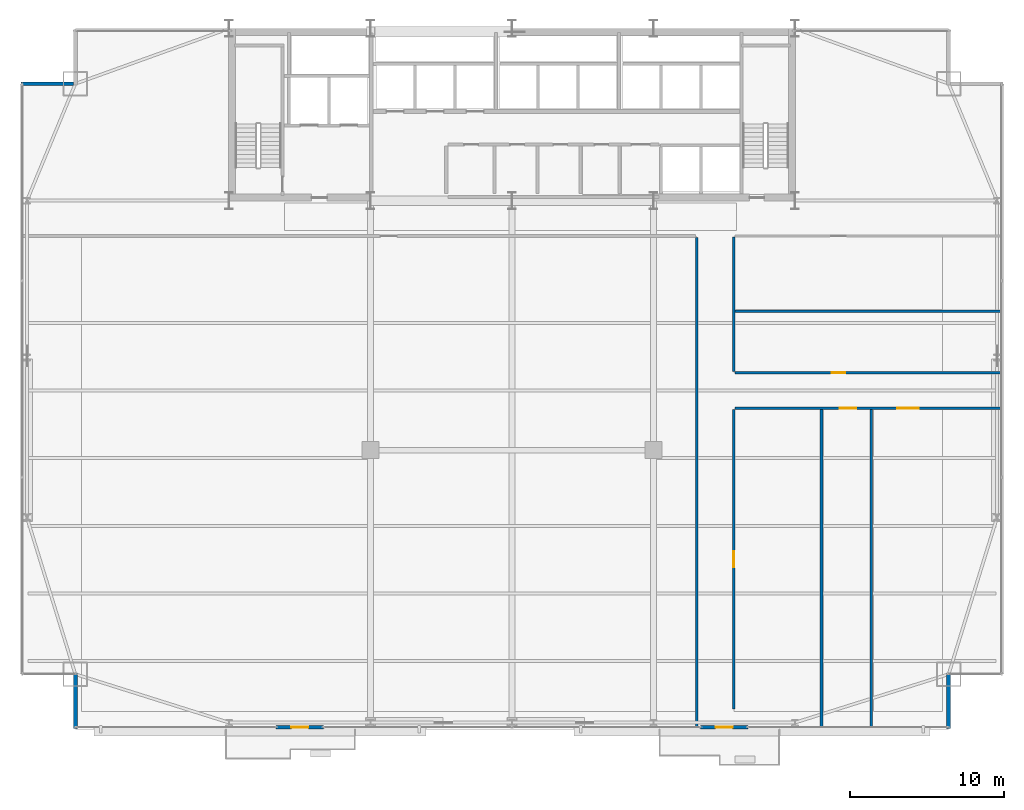
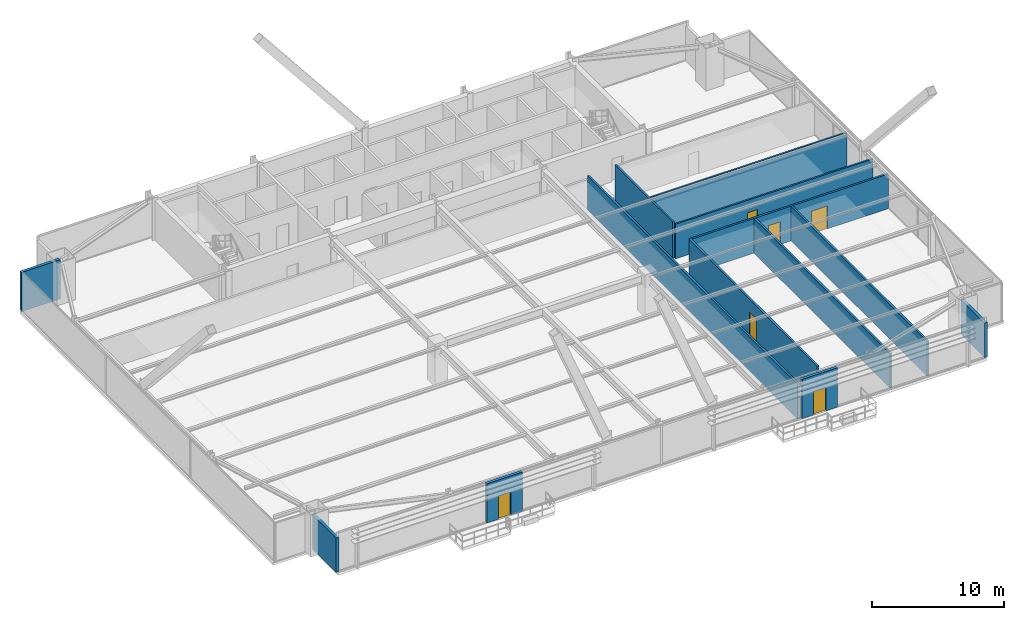
# One storey, part 31 of 35: 13 walls, 6 doors, 6 openings.
"""IFC4 building model written with IfcOpenShell, lengths in metres."""

from ifc_helpers import new_model, si_unit, direction, frame, frame_2d, origin, place, context, subcontext, project, spatial, rectangle, extrude, source, transform, mapped, material, layer, layer_set, type_object, type_shapes, element, fill, save


model = new_model("IFC4")

# Units and contexts
model_context = context("Model", 3, precision=1e-05, world=origin(), true_north=direction((0.0, 1.0)))
body_context = subcontext(model_context, "Body", "Model", "MODEL_VIEW")
ifc_project = project(units=[si_unit("LENGTHUNIT", "METRE"), si_unit("AREAUNIT", "SQUARE_METRE"), si_unit("VOLUMEUNIT", "CUBIC_METRE"), si_unit("PLANEANGLEUNIT", "RADIAN"), si_unit("MASSUNIT", "GRAM", prefix="KILO")], contexts=[model_context])

# Site, building, storey
site_placement = place(None, origin())
site = spatial("IfcSite", under=ifc_project, at=site_placement, CompositionType="ELEMENT")
building_placement = place(site_placement, origin())
building = spatial("IfcBuilding", under=site, at=building_placement, Name="Varnel Quay Broadcast Tower", CompositionType="ELEMENT")
storey_placement = place(building_placement, frame((0.0, 0.0, 66.60009765625)))
storey = spatial("IfcBuildingStorey", under=building, at=storey_placement, Name="L15", CompositionType="ELEMENT", Elevation=66.60009765625)

# Wall, opening, door
ifc_material_1 = material(Name="Precast Architectural Concrete C40/50", Category="concrete")
ifc_layer_1 = layer(ifc_material_1, 0.25, Name="Precast Architectural Concrete C40/50")
ifc_layer_set_1 = layer_set([ifc_layer_1], Name="Precast Architectural Concrete C40/50")
wall_type_1 = type_object("IfcWallType", Name="Wall_ExtTerrace250", PredefinedType="SOLIDWALL", material=ifc_layer_set_1)
wall_1_placement = place(storey_placement, frame((18.64990234375, 1.35009765625, 0.0), z_axis=(0.0, 0.0, 1.0), x_axis=(1.0, 0.0, 0.0)))
wall_1 = element("IfcWall", 1, at=wall_1_placement, inside=storey, type_object=wall_type_1, Name="L15 Terrace Access Wall 1", PredefinedType="SOLIDWALL", context=body_context, shape_type="SweptSolid", body=[
    extrude(rectangle(XDim=3.10009765625, YDim=0.25, at=frame_2d((1.550048828125, 0.0))), origin(), (0.0, 0.0, 1.0), 3.6298828125),
])
opening_1_placement = place(wall_1_placement, frame((1.0, 0.0, 0.0)))
opening_1 = element("IfcOpeningElement", 2, at=opening_1_placement, cuts=wall_1, Name="Opening TD-151", PredefinedType="OPENING", context=body_context, shape_type="SweptSolid", body=[
    extrude(rectangle(XDim=1.10009765625, YDim=2.14990234375, at=frame_2d((0.550048828125, 1.074951171875))), frame((0.0, 0.135009765625, 0.0), z_axis=(0.0, -1.0, 0.0), x_axis=(1.0, 0.0, 0.0)), (0.0, 0.0, 1.0), 0.27001953125),
])
ifc_material_2 = material(Name="Anodised Bronze Aluminium 6063-T6", Category="aluminium")
door_type_1 = type_object("IfcDoorType", Name="Door_ExtTerrace1100", OperationType="NOTDEFINED", PredefinedType="DOOR", material=ifc_material_2)
shared_shape_1 = source(origin(), body_context, "Body", "SweptSolid", [
    extrude(rectangle(XDim=1.10009765625, YDim=2.14990234375, at=frame_2d((0.550048828125, 1.074951171875))), frame((0.0, 0.02490234375, 0.0), z_axis=(0.0, -1.0, 0.0), x_axis=(1.0, 0.0, 0.0)), (0.0, 0.0, 1.0), 0.050048828125),
])
type_shapes(door_type_1, [shared_shape_1])
door_1_placement = place(opening_1_placement, frame((1.10009765625, 0.0, 0.0), z_axis=(0.0, 0.0, 1.0), x_axis=(-1.0, 0.0, 0.0)))
door_1 = element("IfcDoor", 3, at=door_1_placement, inside=storey, type_object=door_type_1, Name="L15 Terrace Door TD-151", OperationType="SINGLE_SWING_LEFT", OverallHeight=2.14990234375, OverallWidth=1.10009765625, PredefinedType="DOOR", context=body_context, shape_type="MappedRepresentation", body=[
    mapped(shared_shape_1, transform((0.0, 0.0, 0.0), x_axis=(1.0, 0.0, 0.0), y_axis=(0.0, 1.0, 0.0), z_axis=(0.0, 0.0, 1.0), scale=1.0)),
])
fill(opening_1, door_1)

wall_2_placement = place(storey_placement, frame((46.25, 1.35009765625, 0.0), z_axis=(0.0, 0.0, 1.0), x_axis=(1.0, 0.0, 0.0)))
wall_2 = element("IfcWall", 4, at=wall_2_placement, inside=storey, type_object=wall_type_1, Name="L15 Terrace Access Wall 2", PredefinedType="SOLIDWALL", context=body_context, shape_type="SweptSolid", body=[
    extrude(rectangle(XDim=3.10009765625, YDim=0.25, at=frame_2d((1.550048828125, 0.0))), origin(), (0.0, 0.0, 1.0), 3.6298828125),
])
opening_2_placement = place(wall_2_placement, frame((1.0, 0.0, 0.0)))
opening_2 = element("IfcOpeningElement", 5, at=opening_2_placement, cuts=wall_2, Name="Opening TD-152", PredefinedType="OPENING", context=body_context, shape_type="SweptSolid", body=[
    extrude(rectangle(XDim=1.10009765625, YDim=2.14990234375, at=frame_2d((0.550048828125, 1.074951171875))), frame((0.0, 0.135009765625, 0.0), z_axis=(0.0, -1.0, 0.0), x_axis=(1.0, 0.0, 0.0)), (0.0, 0.0, 1.0), 0.27001953125),
])
door_2_placement = place(opening_2_placement, frame((1.10009765625, 0.0, 0.0), z_axis=(0.0, 0.0, 1.0), x_axis=(-1.0, 0.0, 0.0)))
door_2 = element("IfcDoor", 6, at=door_2_placement, inside=storey, type_object=door_type_1, Name="L15 Terrace Door TD-152", OperationType="SINGLE_SWING_RIGHT", OverallHeight=2.14990234375, OverallWidth=1.10009765625, PredefinedType="DOOR", context=body_context, shape_type="MappedRepresentation", body=[
    mapped(shared_shape_1, transform((0.0, 0.0, 0.0), x_axis=(1.0, 0.0, 0.0), y_axis=(0.0, 1.0, 0.0), z_axis=(0.0, 0.0, 1.0), scale=1.0)),
])
fill(opening_2, door_2)

# Walls
for number, where, z_axis, x_axis, name in (
    (7, (5.60009765625, 1.280029296875, 0.0), (0.0, 0.0, 1.0), (0.0, 1.0, 0.0), "L15 Mega-Column Notch Cladding Wall NSW2"),
    (8, (62.39990234375, 1.280029296875, 0.0), (0.0, 0.0, 1.0), (0.0, 1.0, 0.0), "L15 Mega-Column Notch Cladding Wall NSE2"),
):
    element("IfcWall", number, at=place(storey_placement, frame(where, z_axis=z_axis, x_axis=x_axis)), inside=storey, type_object=wall_type_1, Name=name, PredefinedType="SOLIDWALL", context=body_context, shape_type="SweptSolid", body=[
        extrude(rectangle(XDim=3.599853515625, YDim=0.25, at=frame_2d((1.7998046875, 0.0))), origin(), (0.0, 0.0, 1.0), 3.2080078125),
    ])
wall_3_placement = place(storey_placement, frame((2.080078125, 43.199951171875, 0.0), z_axis=(0.0, 0.0, 1.0), x_axis=(1.0, 0.0, 0.0)))
element("IfcWall", 9, at=wall_3_placement, inside=storey, type_object=wall_type_1, Name="L15 Mega-Column Notch Cladding Wall NNW1", PredefinedType="SOLIDWALL", context=body_context, shape_type="SweptSolid", body=[
    extrude(rectangle(XDim=3.389892578125, YDim=0.25, at=frame_2d((1.69482421875, 0.0))), origin(), (0.0, 0.0, 1.0), 3.6298828125),
])

# Wall, opening, door
ifc_material_3 = material(Name="Steel-Stud Fire-Rated Acoustic Gypsum Partition Assembly", Category="steel")
ifc_layer_2 = layer(ifc_material_3, 0.14990234375, Name="Steel-Stud Fire-Rated Acoustic Gypsum Partition Assembly")
ifc_layer_set_2 = layer_set([ifc_layer_2], Name="Steel-Stud Fire-Rated Acoustic Gypsum Partition Assembly")
wall_type_2 = type_object("IfcWallType", Name="Wall_Partition150", PredefinedType="PARTITIONING", material=ifc_layer_set_2)
wall_4_placement = place(storey_placement, frame((48.52001953125, 24.39990234375, 0.0), z_axis=(0.0, 0.0, 1.0), x_axis=(1.0, 0.0, 0.0)))
wall_4 = element("IfcWall", 10, at=wall_4_placement, inside=storey, type_object=wall_type_2, Name="L15 Catering Kitchen 5 Partition 14", PredefinedType="PARTITIONING", context=body_context, shape_type="SweptSolid", body=[
    extrude(rectangle(XDim=17.300048828125, YDim=0.14990234375, at=frame_2d((8.64990234375, 0.0))), origin(), (0.0, 0.0, 1.0), 3.2080078125),
])
opening_3_placement = place(wall_4_placement, frame((6.27490234375, 0.0, 0.0)))
opening_3 = element("IfcOpeningElement", 11, at=opening_3_placement, cuts=wall_4, Name="Opening D-L15-10", PredefinedType="OPENING", context=body_context, shape_type="SweptSolid", body=[
    extrude(rectangle(XDim=0.8798828125, YDim=2.06005859375, at=frame_2d((0.43994140625, 1.030029296875))), frame((0.0, 0.0849609375, 0.0), z_axis=(0.0, -1.0, 0.0), x_axis=(1.0, 0.0, 0.0)), (0.0, 0.0, 1.0), 0.169921875),
])
ifc_material_4 = material(Name="Solid-Core Fire-Rated Acoustic Oak Veneer Door", Category="wood")
door_type_2 = type_object("IfcDoorType", Name="Door_Booth880", OperationType="NOTDEFINED", PredefinedType="DOOR", material=ifc_material_4)
shared_shape_2 = source(origin(), body_context, "Body", "SweptSolid", [
    extrude(rectangle(XDim=0.8798828125, YDim=2.06005859375, at=frame_2d((0.43994140625, 1.030029296875))), frame((0.0, 0.02490234375, 0.0), z_axis=(0.0, -1.0, 0.0), x_axis=(1.0, 0.0, 0.0)), (0.0, 0.0, 1.0), 0.050048828125),
])
type_shapes(door_type_2, [shared_shape_2])
door_3_placement = place(opening_3_placement, origin())
door_3 = element("IfcDoor", 12, at=door_3_placement, inside=storey, type_object=door_type_2, Name="L15 Catering Kitchen 5 Door D-L15-10", OperationType="SINGLE_SWING_LEFT", OverallHeight=2.06005859375, OverallWidth=0.8798828125, PredefinedType="DOOR", context=body_context, shape_type="MappedRepresentation", body=[
    mapped(shared_shape_2, transform((0.0, 0.0, 0.0), x_axis=(1.0, 0.0, 0.0), y_axis=(0.0, 1.0, 0.0), z_axis=(0.0, 0.0, 1.0), scale=1.0)),
])
fill(opening_3, door_3)

# Walls
wall_5_placement = place(storey_placement, frame((48.52001953125, 28.39990234375, 0.0), z_axis=(0.0, 0.0, 1.0), x_axis=(1.0, 0.0, 0.0)))
element("IfcWall", 13, at=wall_5_placement, inside=storey, type_object=wall_type_2, Name="L15 Catering Kitchen 5 Partition 15", PredefinedType="PARTITIONING", context=body_context, shape_type="SweptSolid", body=[
    extrude(rectangle(XDim=17.300048828125, YDim=0.14990234375, at=frame_2d((8.64990234375, 0.0))), origin(), (0.0, 0.0, 1.0), 3.2080078125),
])
wall_6_placement = place(storey_placement, frame((48.419921875, 24.47509765625, 0.0), z_axis=(0.0, 0.0, 1.0), x_axis=(0.0, 1.0, 0.0)))
element("IfcWall", 14, at=wall_6_placement, inside=storey, type_object=wall_type_2, Name="L15 Catering Kitchen 5 Partition 16", PredefinedType="PARTITIONING", context=body_context, shape_type="SweptSolid", body=[
    extrude(rectangle(XDim=8.75, YDim=0.14990234375, at=frame_2d((4.375, 0.0))), origin(), (0.0, 0.0, 1.0), 3.3779296875),
])
ifc_layer_3 = layer(ifc_material_3, 0.175048828125, Name="Steel-Stud Fire-Rated Acoustic Gypsum Partition Assembly")
ifc_layer_set_3 = layer_set([ifc_layer_3], Name="Steel-Stud Fire-Rated Acoustic Gypsum Partition Assembly")
wall_type_3 = type_object("IfcWallType", Name="Wall_Partition175", PredefinedType="PARTITIONING", material=ifc_layer_set_3)
wall_7_placement = place(storey_placement, frame((46.02001953125, 1.3798828125, 0.0), z_axis=(0.0, 0.0, 1.0), x_axis=(0.0, 1.0, 0.0)))
element("IfcWall", 15, at=wall_7_placement, inside=storey, type_object=wall_type_3, Name="L15 Broadcast Seminar Room 1 Partition 8", PredefinedType="PARTITIONING", context=body_context, shape_type="SweptSolid", body=[
    extrude(rectangle(XDim=31.83203125, YDim=0.175048828125, at=frame_2d((15.916015625, 0.0))), origin(), (0.0, 0.0, 1.0), 3.2080078125),
])
wall_8_placement = place(storey_placement, frame((54.1298828125, 1.3798828125, 0.0), z_axis=(0.0, 0.0, 1.0), x_axis=(0.0, 1.0, 0.0)))
element("IfcWall", 16, at=wall_8_placement, inside=storey, type_object=wall_type_3, Name="L15 Press Briefing Room 2 Partition 10", PredefinedType="PARTITIONING", context=body_context, shape_type="SweptSolid", body=[
    extrude(rectangle(XDim=20.633056640625, YDim=0.175048828125, at=frame_2d((10.31640625, 0.0))), origin(), (0.0, 0.0, 1.0), 3.2080078125),
])

# Wall, openings, doors
wall_9_placement = place(storey_placement, frame((48.52001953125, 22.10009765625, 0.0), z_axis=(0.0, 0.0, 1.0), x_axis=(1.0, 0.0, 0.0)))
wall_9 = element("IfcWall", 17, at=wall_9_placement, inside=storey, type_object=wall_type_3, Name="L15 Press Briefing Room 2 Partition 11", PredefinedType="PARTITIONING", context=body_context, shape_type="SweptSolid", body=[
    extrude(rectangle(XDim=17.300048828125, YDim=0.175048828125, at=frame_2d((8.64990234375, 0.0))), origin(), (0.0, 0.0, 1.0), 3.2080078125),
])
opening_4_placement = place(wall_9_placement, frame((6.804931640625, 0.0, 0.0)))
opening_4 = element("IfcOpeningElement", 18, at=opening_4_placement, cuts=wall_9, Name="Opening D-L15-08", PredefinedType="OPENING", context=body_context, shape_type="SweptSolid", body=[
    extrude(rectangle(XDim=1.050048828125, YDim=2.10009765625, at=frame_2d((0.52490234375, 1.050048828125))), frame((0.0, 0.09765625, 0.0), z_axis=(0.0, -1.0, 0.0), x_axis=(1.0, 0.0, 0.0)), (0.0, 0.0, 1.0), 0.195068359375),
])
opening_5_placement = place(wall_9_placement, frame((10.5400390625, 0.0, 0.0)))
opening_5 = element("IfcOpeningElement", 19, at=opening_5_placement, cuts=wall_9, Name="Opening D-L15-09", PredefinedType="OPENING", context=body_context, shape_type="SweptSolid", body=[
    extrude(rectangle(XDim=1.39990234375, YDim=2.1201171875, at=frame_2d((0.699951171875, 1.06005859375))), frame((0.0, 0.09765625, 0.0), z_axis=(0.0, -1.0, 0.0), x_axis=(1.0, 0.0, 0.0)), (0.0, 0.0, 1.0), 0.195068359375),
])
door_type_3 = type_object("IfcDoorType", Name="Door_Meeting1050", OperationType="NOTDEFINED", PredefinedType="DOOR", material=ifc_material_4)
shared_shape_3 = source(origin(), body_context, "Body", "SweptSolid", [
    extrude(rectangle(XDim=1.050048828125, YDim=2.10009765625, at=frame_2d((0.52490234375, 1.050048828125))), frame((0.0, 0.02490234375, 0.0), z_axis=(0.0, -1.0, 0.0), x_axis=(1.0, 0.0, 0.0)), (0.0, 0.0, 1.0), 0.050048828125),
])
type_shapes(door_type_3, [shared_shape_3])
door_4_placement = place(opening_4_placement, frame((1.050048828125, 0.0, 0.0), z_axis=(0.0, 0.0, 1.0), x_axis=(-1.0, 0.0, 0.0)))
door_4 = element("IfcDoor", 20, at=door_4_placement, inside=storey, type_object=door_type_3, Name="L15 Editorial Huddle Room 3 Door D-L15-08", OperationType="SINGLE_SWING_RIGHT", OverallHeight=2.10009765625, OverallWidth=1.050048828125, PredefinedType="DOOR", context=body_context, shape_type="MappedRepresentation", body=[
    mapped(shared_shape_3, transform((0.0, 0.0, 0.0), x_axis=(1.0, 0.0, 0.0), y_axis=(0.0, 1.0, 0.0), z_axis=(0.0, 0.0, 1.0), scale=1.0)),
])
fill(opening_4, door_4)
door_type_4 = type_object("IfcDoorType", Name="Door_Gallery1400", OperationType="DOUBLE_DOOR_SINGLE_SWING", PredefinedType="DOOR", material=ifc_material_4)
shared_shape_4 = source(origin(), body_context, "Body", "SweptSolid", [
    extrude(rectangle(XDim=1.39990234375, YDim=2.1201171875, at=frame_2d((0.699951171875, 1.06005859375))), frame((0.0, 0.02490234375, 0.0), z_axis=(0.0, -1.0, 0.0), x_axis=(1.0, 0.0, 0.0)), (0.0, 0.0, 1.0), 0.050048828125),
])
type_shapes(door_type_4, [shared_shape_4])
door_5_placement = place(opening_5_placement, frame((1.39990234375, 0.0, 0.0), z_axis=(0.0, 0.0, 1.0), x_axis=(-1.0, 0.0, 0.0)))
door_5 = element("IfcDoor", 21, at=door_5_placement, inside=storey, type_object=door_type_4, Name="L15 Journalism Training Studio 4 Door D-L15-09", OperationType="DOUBLE_DOOR_SINGLE_SWING", OverallHeight=2.1201171875, OverallWidth=1.39990234375, PredefinedType="DOOR", context=body_context, shape_type="MappedRepresentation", body=[
    mapped(shared_shape_4, transform((0.0, 0.0, 0.0), x_axis=(1.0, 0.0, 0.0), y_axis=(0.0, 1.0, 0.0), z_axis=(0.0, 0.0, 1.0), scale=1.0)),
])
fill(opening_5, door_5)

# Wall, opening, door
wall_10_placement = place(storey_placement, frame((48.419921875, 2.550048828125, 0.0), z_axis=(0.0, 0.0, 1.0), x_axis=(0.0, 1.0, 0.0)))
wall_10 = element("IfcWall", 22, at=wall_10_placement, inside=storey, type_object=wall_type_3, Name="L15 Press Briefing Room 2 Partition 12", PredefinedType="PARTITIONING", context=body_context, shape_type="SweptSolid", body=[
    extrude(rectangle(XDim=19.462890625, YDim=0.175048828125, at=frame_2d((9.7314453125, 0.0))), origin(), (0.0, 0.0, 1.0), 3.322021484375),
])
opening_6_placement = place(wall_10_placement, frame((9.199951171875, 0.0, 0.0)))
opening_6 = element("IfcOpeningElement", 23, at=opening_6_placement, cuts=wall_10, Name="Opening D-L15-07", PredefinedType="OPENING", context=body_context, shape_type="SweptSolid", body=[
    extrude(rectangle(XDim=1.050048828125, YDim=2.10009765625, at=frame_2d((0.52490234375, 1.050048828125))), frame((0.0, 0.09765625, 0.0), z_axis=(0.0, -1.0, 0.0), x_axis=(1.0, 0.0, 0.0)), (0.0, 0.0, 1.0), 0.195068359375),
])
door_6_placement = place(opening_6_placement, frame((1.050048828125, 0.0, 0.0), z_axis=(0.0, 0.0, 1.0), x_axis=(-1.0, 0.0, 0.0)))
door_6 = element("IfcDoor", 24, at=door_6_placement, inside=storey, type_object=door_type_3, Name="L15 Press Briefing Room 2 Door D-L15-07", OperationType="SINGLE_SWING_LEFT", OverallHeight=2.10009765625, OverallWidth=1.050048828125, PredefinedType="DOOR", context=body_context, shape_type="MappedRepresentation", body=[
    mapped(shared_shape_3, transform((0.0, 0.0, 0.0), x_axis=(1.0, 0.0, 0.0), y_axis=(0.0, 1.0, 0.0), z_axis=(0.0, 0.0, 1.0), scale=1.0)),
])
fill(opening_6, door_6)

# Wall
wall_11_placement = place(storey_placement, frame((57.3701171875, 1.3798828125, 0.0), z_axis=(0.0, 0.0, 1.0), x_axis=(0.0, 1.0, 0.0)))
element("IfcWall", 25, at=wall_11_placement, inside=storey, type_object=wall_type_3, Name="L15 Editorial Huddle Room 3 Partition 13", PredefinedType="PARTITIONING", context=body_context, shape_type="SweptSolid", body=[
    extrude(rectangle(XDim=20.633056640625, YDim=0.175048828125, at=frame_2d((10.31640625, 0.0))), origin(), (0.0, 0.0, 1.0), 3.2080078125),
])

save(model, "model.ifc")
